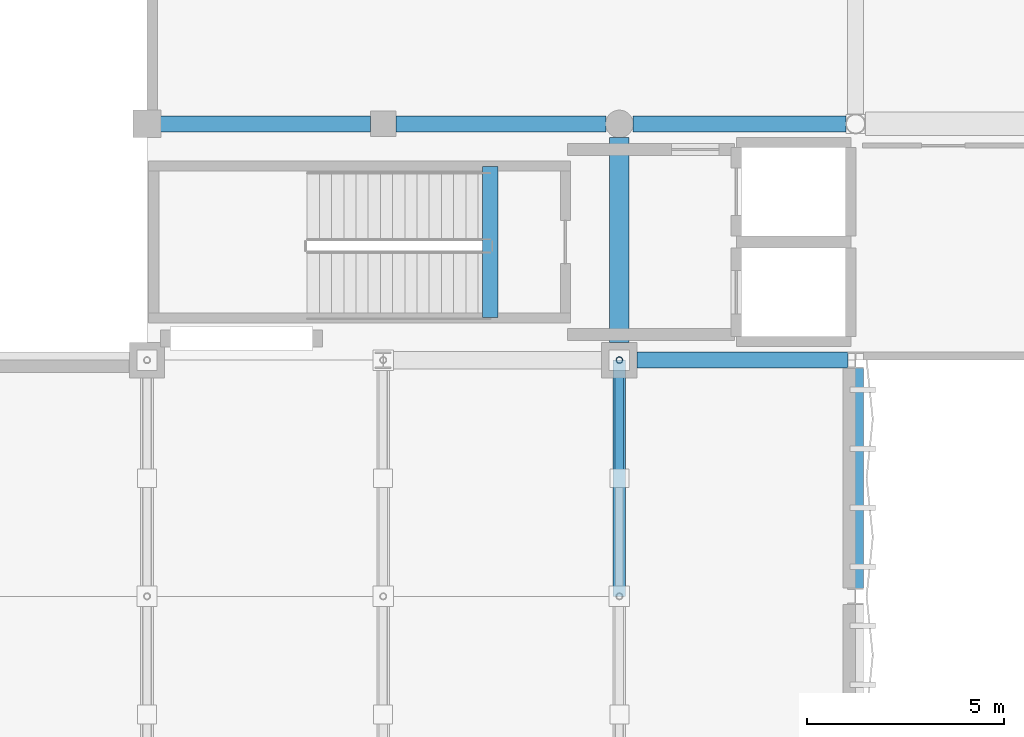
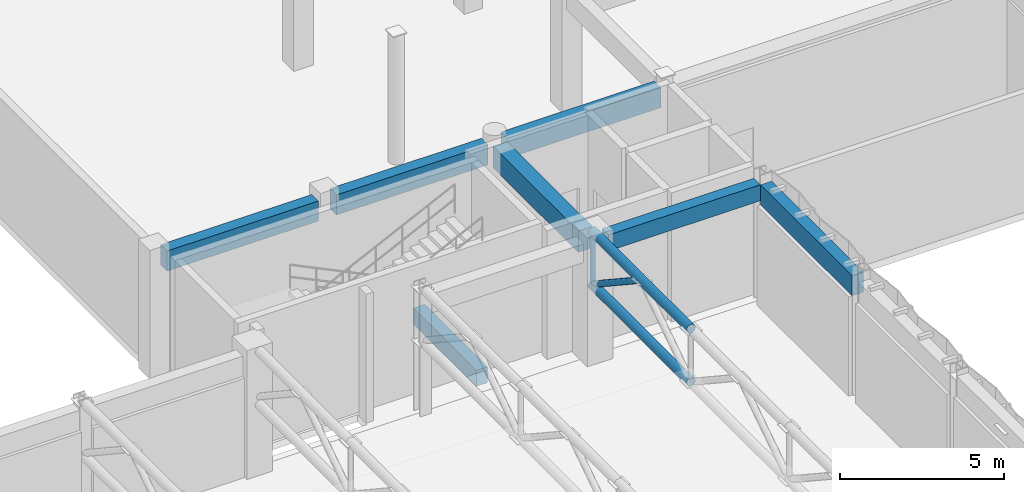
# One storey, part 66 of 123: 7 beams, 4 members.
"""IFC4 building model written with IfcOpenShell, lengths in metres."""

from ifc_helpers import new_model, si_unit, direction, frame, origin, origin_2d, place, context, subcontext, project, spatial, rectangle, hollow_circle, extrude, material, material_profile, profile_set, type_object, element, save


model = new_model("IFC4")

# Units and contexts
model_context = context("Model", 3, precision=1e-05, world=origin(), true_north=direction((0.0, 1.0)))
body_context = subcontext(model_context, "Body", "Model", "MODEL_VIEW")
ifc_project = project(units=[si_unit("LENGTHUNIT", "METRE"), si_unit("AREAUNIT", "SQUARE_METRE"), si_unit("VOLUMEUNIT", "CUBIC_METRE"), si_unit("PLANEANGLEUNIT", "RADIAN"), si_unit("MASSUNIT", "GRAM", prefix="KILO"), si_unit("THERMODYNAMICTEMPERATUREUNIT", "KELVIN"), si_unit("POWERUNIT", "WATT")], contexts=[model_context])

# Site, building, storey
site_placement = place(None, origin())
site = spatial("IfcSite", under=ifc_project, at=site_placement, CompositionType="ELEMENT")
building_placement = place(site_placement, origin())
building = spatial("IfcBuilding", under=site, at=building_placement, Name="Phaisarnlok Congress Hotel", CompositionType="ELEMENT")
storey_placement = place(building_placement, frame((0.0, 0.0, 15.0)))
storey = spatial("IfcBuildingStorey", under=building, at=storey_placement, Name="L03", CompositionType="ELEMENT", Elevation=15.0)

# Beams
ifc_material_1 = material(Name="Concrete C40/50", Category="concrete")
ifc_material_profile_1 = material_profile(ifc_material_1, rectangle(XDim=0.39990234375, YDim=0.60009765625, at=origin_2d()), Name="RC 400x600")
ifc_profile_set_1 = profile_set([ifc_material_profile_1], Name="Concrete C40/50")
beam_type_1 = type_object("IfcBeamType", Name="BM-RC-400x600", PredefinedType="BEAM", material=ifc_profile_set_1)
beam_1_placement = place(storey_placement, frame((138.445068359375, 36.0, 4.14990234375), z_axis=(1.0, 0.0, 0.0), x_axis=(0.0, 1.0, 0.0)))
element("IfcBeam", 1, at=beam_1_placement, inside=storey, type_object=beam_type_1, Name="Beam B-02", PredefinedType="BEAM", context=body_context, shape_type="SweptSolid", body=[
    extrude(rectangle(XDim=0.39990234375, YDim=0.60009765625, at=origin_2d()), origin(), (0.0, 0.0, 1.0), 5.35693359375),
])
beam_2_placement = place(storey_placement, frame((134.719970703125, 37.080078125, -0.300048828125), z_axis=(0.0, 1.0, 0.0), x_axis=(-1.0, 0.0, 0.0)))
element("IfcBeam", 2, at=beam_2_placement, inside=storey, type_object=beam_type_1, Name="Stair landing header beam B-02 (CORE-6 L03)", PredefinedType="BEAM", context=body_context, shape_type="SweptSolid", body=[
    extrude(rectangle(XDim=0.39990234375, YDim=0.60009765625, at=origin_2d()), origin(), (0.0, 0.0, 1.0), 3.83984375),
])
ifc_material_profile_2 = material_profile(ifc_material_1, rectangle(XDim=0.5, YDim=0.800048828125, at=origin_2d()), Name="RC 500x800")
ifc_profile_set_2 = profile_set([ifc_material_profile_2], Name="Concrete C40/50")
beam_type_2 = type_object("IfcBeamType", Name="BM-RC-500x800", PredefinedType="BEAM", material=ifc_profile_set_2)
beam_3_placement = place(storey_placement, frame((138.0, 36.445068359375, 4.050048828125), z_axis=(0.0, 1.0, 0.0), x_axis=(-1.0, 0.0, 0.0)))
element("IfcBeam", 3, at=beam_3_placement, inside=storey, type_object=beam_type_2, Name="Beam B-04", PredefinedType="BEAM", context=body_context, shape_type="SweptSolid", body=[
    extrude(rectangle(XDim=0.5, YDim=0.800048828125, at=origin_2d()), origin(), (0.0, 0.0, 1.0), 5.2099609375),
])

# Members
ifc_material_2 = material(Name="Steel S355", Category="steel")
ifc_material_profile_3 = material_profile(ifc_material_2, hollow_circle(Radius=0.084228515625, WallThickness=0.010009765625, at=origin_2d()), Name="CHS 168.3x10")
ifc_profile_set_3 = profile_set([ifc_material_profile_3], Name="Steel S355")
member_type_1 = type_object("IfcMemberType", Name="MEM-BRC-CHS168", PredefinedType="BRACE", material=ifc_profile_set_3)
member_1_placement = place(storey_placement, frame((138.0, 36.0, 2.64990234375), z_axis=(0.0, 0.0, 1.0), x_axis=(1.0, 0.0, 0.0)))
element("IfcMember", 4, at=member_1_placement, inside=storey, type_object=member_type_1, Name="Ballroom truss vertical web TB-01", PredefinedType="BRACE", context=body_context, shape_type="SweptSolid", body=[
    extrude(hollow_circle(Radius=0.084228515625, WallThickness=0.010009765625, at=origin_2d()), origin(), (0.0, 0.0, 1.0), 1.97998046875),
])
ifc_material_profile_4 = material_profile(ifc_material_2, hollow_circle(Radius=0.109619140625, WallThickness=0.012451171875, at=origin_2d()), Name="CHS 219.1x12.5")
ifc_profile_set_4 = profile_set([ifc_material_profile_4], Name="Steel S355")
member_type_2 = type_object("IfcMemberType", Name="MEM-BRC-CHS219", PredefinedType="BRACE", material=ifc_profile_set_4)
member_2_placement = place(storey_placement, frame((138.0, 36.0, 2.64990234375), z_axis=(0.0, -0.834611904619, 0.550838423377), x_axis=(1.0, 0.0, 0.0)))
element("IfcMember", 5, at=member_2_placement, inside=storey, type_object=member_type_2, Name="Ballroom truss diagonal web TB-02", PredefinedType="BRACE", context=body_context, shape_type="SweptSolid", body=[
    extrude(hollow_circle(Radius=0.109619140625, WallThickness=0.012451171875, at=origin_2d()), origin(), (0.0, 0.0, 1.0), 3.594482421875),
])
ifc_material_profile_5 = material_profile(ifc_material_2, hollow_circle(Radius=0.161865234375, WallThickness=0.01611328125, at=origin_2d()), Name="CHS 323.9x16")
ifc_profile_set_5 = profile_set([ifc_material_profile_5], Name="Steel S355")
member_type_3 = type_object("IfcMemberType", Name="MEM-CHD-CHS324", PredefinedType="CHORD", material=ifc_profile_set_5)
for number, where, z_axis, x_axis, name in (
    (6, (138.0, 30.0, 4.6298828125), (0.0, 1.0, 0.0), (-1.0, 0.0, 0.0), "Ballroom truss top chord TC-02"),
    (7, (138.0, 30.0, 2.64990234375), (0.0, 1.0, 0.0), (-1.0, 0.0, 0.0), "Ballroom truss bottom chord TC-02"),
):
    element("IfcMember", number, at=place(storey_placement, frame(where, z_axis=z_axis, x_axis=x_axis)), inside=storey, type_object=member_type_3, Name=name, PredefinedType="CHORD", context=body_context, shape_type="SweptSolid", body=[
        extrude(hollow_circle(Radius=0.161865234375, WallThickness=0.01611328125, at=origin_2d()), origin(), (0.0, 0.0, 1.0), 6.0),
    ])

# Beams
ifc_material_profile_6 = material_profile(ifc_material_1, rectangle(XDim=0.39990234375, YDim=0.75, at=origin_2d()), Name="RC 400x750")
ifc_profile_set_6 = profile_set([ifc_material_profile_6], Name="Concrete C40/50")
beam_type_3 = type_object("IfcBeamType", Name="SP-RC-400x750", PredefinedType="SPANDREL", material=ifc_profile_set_6)
for number, where, z_axis, x_axis, name in (
    (8, (126.344970703125, 42.0, 4.074951171875), (1.0, 0.0, 0.0), (0.0, 1.0, 0.0), "Beam SP-02"),
    (9, (132.320068359375, 42.0, 4.074951171875), (1.0, 0.0, 0.0), (0.0, 1.0, 0.0), "Beam SP-02"),
):
    element("IfcBeam", number, at=place(storey_placement, frame(where, z_axis=z_axis, x_axis=x_axis)), inside=storey, type_object=beam_type_3, Name=name, PredefinedType="SPANDREL", context=body_context, shape_type="SweptSolid", body=[
        extrude(rectangle(XDim=0.39990234375, YDim=0.75, at=origin_2d()), origin(), (0.0, 0.0, 1.0), 5.3349609375),
    ])
beam_4_placement = place(storey_placement, frame((138.344970703125, 42.0, 4.074951171875), z_axis=(1.0, 0.0, 0.0), x_axis=(0.0, 1.0, 0.0)))
element("IfcBeam", 10, at=beam_4_placement, inside=storey, type_object=beam_type_3, Name="Beam SP-02", PredefinedType="SPANDREL", context=body_context, shape_type="SweptSolid", body=[
    extrude(rectangle(XDim=0.39990234375, YDim=0.75, at=origin_2d()), origin(), (0.0, 0.0, 1.0), 5.406005859375),
])
beam_5_placement = place(storey_placement, frame((144.0, 30.202880859375, 4.074951171875), z_axis=(0.0, 1.0, 0.0), x_axis=(-1.0, 0.0, 0.0)))
element("IfcBeam", 11, at=beam_5_placement, inside=storey, type_object=beam_type_3, Name="Beam SP-02", PredefinedType="SPANDREL", context=body_context, shape_type="SweptSolid", body=[
    extrude(rectangle(XDim=0.39990234375, YDim=0.75, at=origin_2d()), origin(), (0.0, 0.0, 1.0), 5.59423828125),
])

save(model, "model.ifc")
